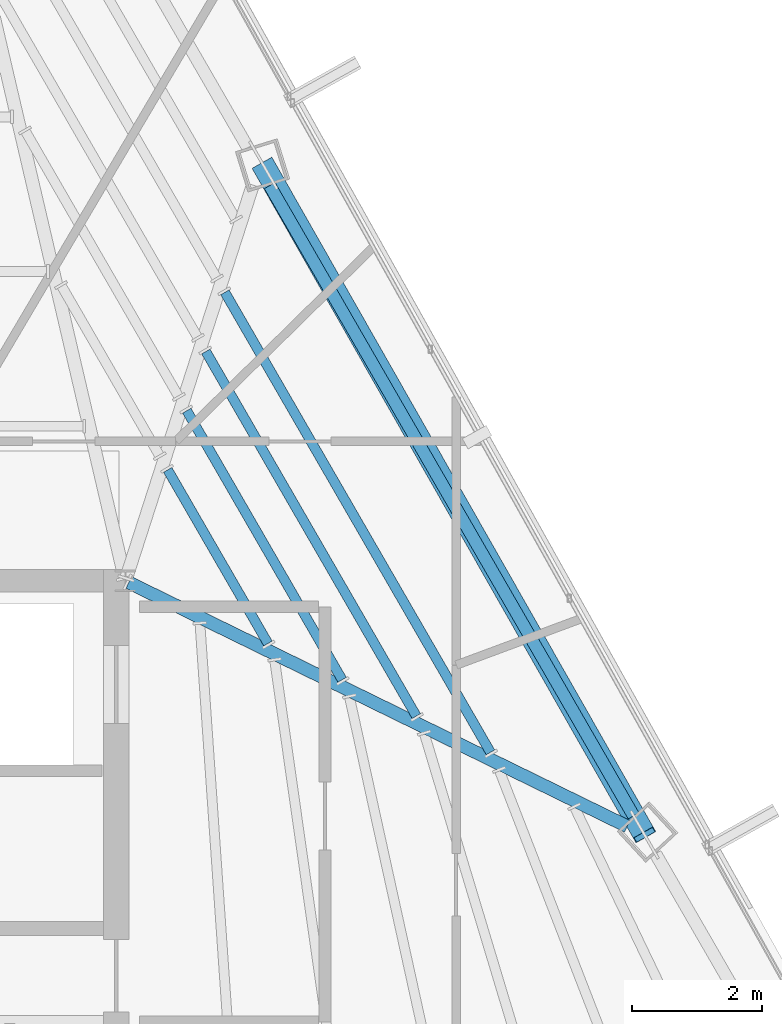
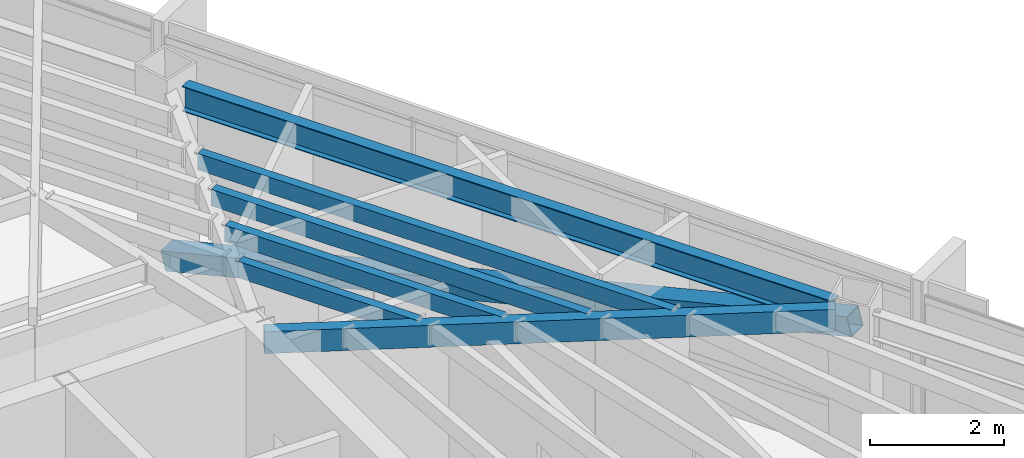
# One storey, part 27 of 45: 6 beams, 1 member.
"""IFC4 building model written with IfcOpenShell, lengths in metres."""

from ifc_helpers import new_model, si_unit, direction, frame, origin, origin_2d, place, context, subcontext, project, spatial, hollow_rectangle, i_section, extrude, source, transform, mapped, material, material_profile, profile_set, type_object, type_shapes, element, save


model = new_model("IFC4")

# Units and contexts
model_context = context("Model", 3, precision=1e-05, world=origin(), true_north=direction((0.0, 1.0)))
body_context = subcontext(model_context, "Body", "Model", "MODEL_VIEW")
ifc_project = project(units=[si_unit("LENGTHUNIT", "METRE"), si_unit("AREAUNIT", "SQUARE_METRE"), si_unit("VOLUMEUNIT", "CUBIC_METRE"), si_unit("PLANEANGLEUNIT", "RADIAN"), si_unit("MASSUNIT", "GRAM", prefix="KILO")], contexts=[model_context])

# Site, building, storey
site_placement = place(None, origin())
site = spatial("IfcSite", under=ifc_project, at=site_placement, CompositionType="ELEMENT")
building_placement = place(site_placement, origin())
building = spatial("IfcBuilding", under=site, at=building_placement, Name="Caelisora Broadcast Tower", CompositionType="ELEMENT")
storey_placement = place(building_placement, frame((0.0, 0.0, 262.699951171875)))
storey = spatial("IfcBuildingStorey", under=building, at=storey_placement, Name="L69", CompositionType="ELEMENT", Elevation=262.699951171875)

# Beams
ifc_material_1 = material(Name="Steel Grade 350 (AS/NZS 3679.1)", Category="steel")
ifc_material_profile_1 = material_profile(ifc_material_1, i_section(OverallWidth=0.19091796875, OverallDepth=0.46044921875, WebThickness=0.010009765625, FlangeThickness=0.01611328125, at=origin_2d()), Name="Steel Grade 350 (AS/NZS 3679.1)")
ifc_profile_set_1 = profile_set([ifc_material_profile_1], Name="Steel Grade 350 (AS/NZS 3679.1)")
beam_type_1 = type_object("IfcBeamType", Name="PG06", PredefinedType="BEAM", material=ifc_profile_set_1)
shared_shape_1 = source(origin(), body_context, "Body", "SweptSolid", [
    extrude(i_section(OverallWidth=0.19091796875, OverallDepth=0.46044921875, WebThickness=0.010009765625, FlangeThickness=0.01611328125, at=origin_2d()), origin(), (0.0, 0.0, 1.0), 11.22265625),
])
type_shapes(beam_type_1, [shared_shape_1])
beam_1_placement = place(storey_placement, frame((53.337890625, 26.3759765625, 3.169921875), z_axis=(-0.500004293243, 0.866022925065, 0.0), x_axis=(-0.866022925065, -0.500004293243, 0.0)))
element("IfcBeam", 1, at=beam_1_placement, inside=storey, type_object=beam_type_1, Name="L69 beam PG06", PredefinedType="BEAM", context=body_context, shape_type="MappedRepresentation", body=[
    mapped(shared_shape_1, transform((0.0, 0.0, 0.0), scale=1.0)),
])
ifc_material_2 = material(Name="Steel Grade 350 (AS/NZS 1163 C350L0)", Category="steel")
ifc_material_profile_2 = material_profile(ifc_material_2, hollow_rectangle(XDim=0.199951171875, YDim=0.39990234375, WallThickness=0.012451171875, at=origin_2d()), Name="Steel Grade 350 (AS/NZS 1163 C350L0)")
ifc_profile_set_2 = profile_set([ifc_material_profile_2], Name="Steel Grade 350 (AS/NZS 1163 C350L0)")
beam_type_2 = type_object("IfcBeamType", Name="PG07", PredefinedType="BEAM", material=ifc_profile_set_2)
shared_shape_2 = source(origin(), body_context, "Body", "SweptSolid", [
    extrude(hollow_rectangle(XDim=0.199951171875, YDim=0.39990234375, WallThickness=0.012451171875, at=origin_2d()), origin(), (0.0, 0.0, 1.0), 8.5556640625),
])
type_shapes(beam_type_2, [shared_shape_2])
beam_2_placement = place(storey_placement, frame((45.553955078125, 29.9736328125, 3.199951171875), z_axis=(0.898279996039, -0.439423541377, 0.0), x_axis=(0.439423541377, 0.898279996039, 0.0)))
element("IfcBeam", 2, at=beam_2_placement, inside=storey, type_object=beam_type_2, Name="L69 beam PG07", PredefinedType="BEAM", context=body_context, shape_type="MappedRepresentation", body=[
    mapped(shared_shape_2, transform((0.0, 0.0, 0.0), scale=1.0)),
])
ifc_material_profile_3 = material_profile(ifc_material_2, hollow_rectangle(XDim=0.14990234375, YDim=0.300048828125, WallThickness=0.010009765625, at=origin_2d()), Name="Steel Grade 350 (AS/NZS 1163 C350L0)")
ifc_profile_set_3 = profile_set([ifc_material_profile_3], Name="Steel Grade 350 (AS/NZS 1163 C350L0)")
beam_type_3 = type_object("IfcBeamType", Name="SB05", PredefinedType="JOIST", material=ifc_profile_set_3)
shared_shape_3 = source(origin(), body_context, "Body", "SweptSolid", [
    extrude(hollow_rectangle(XDim=0.14990234375, YDim=0.300048828125, WallThickness=0.010009765625, at=origin_2d()), origin(), (0.0, 0.0, 1.0), 3.091552734375),
])
beam_3_placement = place(storey_placement, frame((47.69970703125, 29.033447265625, 3.25), z_axis=(-0.50004601672, 0.865998834389, 0.0), x_axis=(-0.865998834389, -0.50004601672, 0.0)))
element("IfcBeam", 3, at=beam_3_placement, inside=storey, type_object=beam_type_3, Name="L69 beam SB05", PredefinedType="JOIST", context=body_context, shape_type="MappedRepresentation", body=[
    mapped(shared_shape_3, transform((0.0, 0.0, 0.0), scale=1.0)),
])
shared_shape_4 = source(origin(), body_context, "Body", "SweptSolid", [
    extrude(hollow_rectangle(XDim=0.14990234375, YDim=0.300048828125, WallThickness=0.010009765625, at=origin_2d()), origin(), (0.0, 0.0, 1.0), 4.791259765625),
])
beam_4_placement = place(storey_placement, frame((48.843505859375, 28.473876953125, 3.25), z_axis=(-0.500013559801, 0.866017574888, 0.0), x_axis=(-0.866017574888, -0.500013559801, 0.0)))
element("IfcBeam", 4, at=beam_4_placement, inside=storey, type_object=beam_type_3, Name="L69 beam SB05", PredefinedType="JOIST", context=body_context, shape_type="MappedRepresentation", body=[
    mapped(shared_shape_4, transform((0.0, 0.0, 0.0), scale=1.0)),
])
shared_shape_5 = source(origin(), body_context, "Body", "SweptSolid", [
    extrude(hollow_rectangle(XDim=0.14990234375, YDim=0.300048828125, WallThickness=0.010009765625, at=origin_2d()), origin(), (0.0, 0.0, 1.0), 6.4912109375),
])
beam_5_placement = place(storey_placement, frame((49.9873046875, 27.914306640625, 3.25), z_axis=(-0.499998101639, 0.866026499801, 0.0), x_axis=(-0.866026499801, -0.499998101639, 0.0)))
element("IfcBeam", 5, at=beam_5_placement, inside=storey, type_object=beam_type_3, Name="L69 beam SB05", PredefinedType="JOIST", context=body_context, shape_type="MappedRepresentation", body=[
    mapped(shared_shape_5, transform((0.0, 0.0, 0.0), scale=1.0)),
])
shared_shape_6 = source(origin(), body_context, "Body", "SweptSolid", [
    extrude(hollow_rectangle(XDim=0.14990234375, YDim=0.300048828125, WallThickness=0.010009765625, at=origin_2d()), origin(), (0.0, 0.0, 1.0), 8.19091796875),
])
type_shapes(beam_type_3, [shared_shape_3, shared_shape_4, shared_shape_5, shared_shape_6])
beam_6_placement = place(storey_placement, frame((51.131103515625, 27.35498046875, 3.25), z_axis=(-0.500001965626, 0.866024268927, 0.0), x_axis=(-0.866024268927, -0.500001965626, 0.0)))
element("IfcBeam", 6, at=beam_6_placement, inside=storey, type_object=beam_type_3, Name="L69 beam SB05", PredefinedType="JOIST", context=body_context, shape_type="MappedRepresentation", body=[
    mapped(shared_shape_6, transform((0.0, 0.0, 0.0), scale=1.0)),
])

# Member
ifc_material_3 = material(Name="Steel Grade 450 (AS/NZS 1163 C450L0)", Category="steel")
ifc_material_profile_4 = material_profile(ifc_material_3, hollow_rectangle(XDim=0.35009765625, YDim=0.35009765625, WallThickness=0.012451171875, at=origin_2d()), Name="Steel Grade 450 (AS/NZS 1163 C450L0)")
ifc_profile_set_4 = profile_set([ifc_material_profile_4], Name="Steel Grade 450 (AS/NZS 1163 C450L0)")
member_type = type_object("IfcMemberType", Name="BR05", PredefinedType="BRACE", material=ifc_profile_set_4)
shared_shape_7 = source(origin(), body_context, "Body", "SweptSolid", [
    extrude(hollow_rectangle(XDim=0.35009765625, YDim=0.35009765625, WallThickness=0.012451171875, at=origin_2d()), origin(), (0.0, 0.0, 1.0), 12.255126953125),
])
type_shapes(member_type, [shared_shape_7])
member_placement = place(storey_placement, frame((53.5068359375, 26.083251953125, 3.10009765625), z_axis=(-0.479666061454, 0.842612982862, -0.244793444769), x_axis=(-0.869053723345, -0.494717723496, 0.0)))
element("IfcMember", 7, at=member_placement, inside=storey, type_object=member_type, Name="L69 perimeter brace BR05", PredefinedType="BRACE", context=body_context, shape_type="MappedRepresentation", body=[
    mapped(shared_shape_7, transform((0.0, 0.0, 0.0), scale=1.0)),
])

save(model, "model.ifc")
